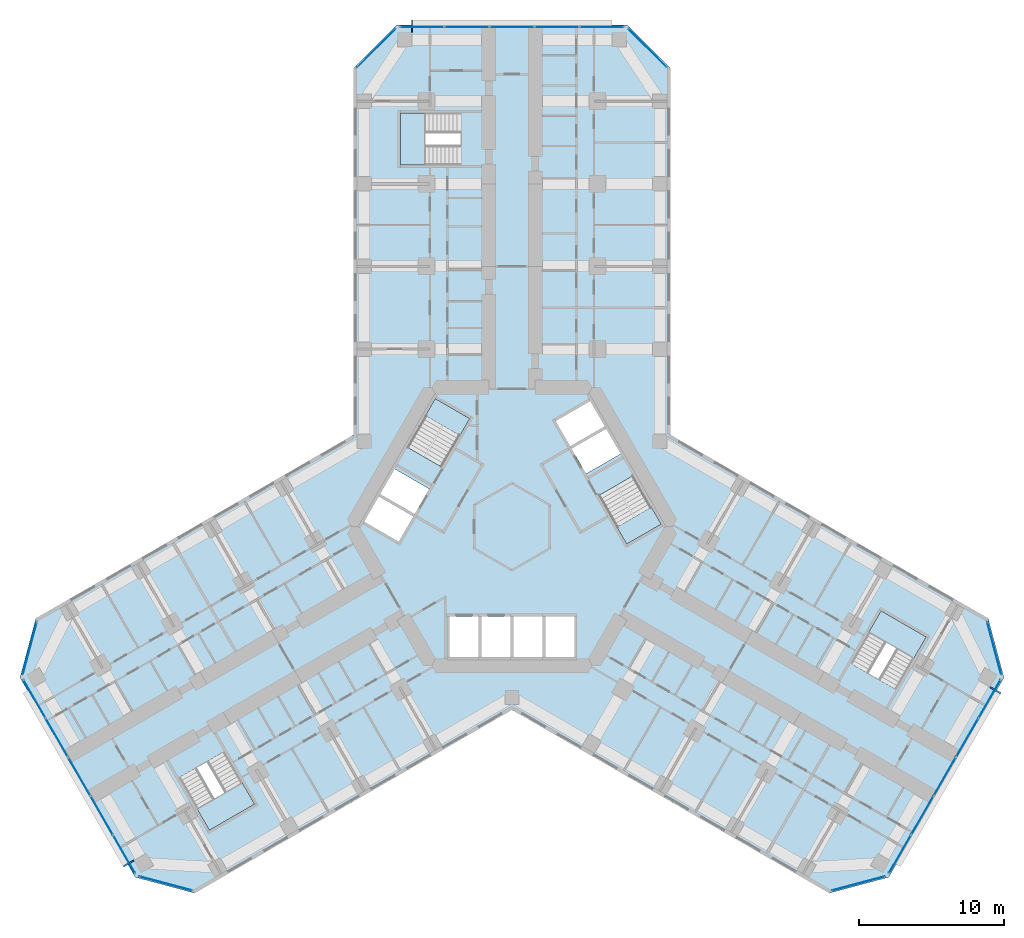
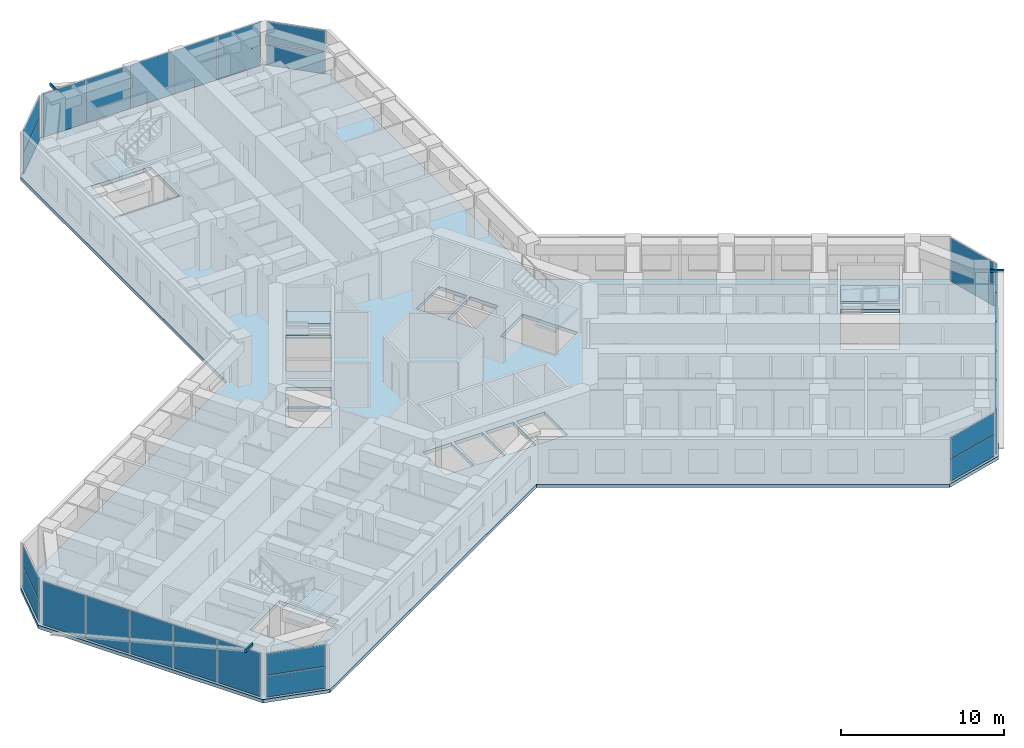
# One storey, part 9 of 21: 27 plates, 6 slabs, 3 members, 14 elements without a shape of their own.
"""IFC4 building model written with IfcOpenShell, lengths in metres."""

import ifcopenshell
import ifcopenshell.guid

model = None  # the IFC model being written
_history = None  # IfcOwnerHistory: only IFC2X3 demands one
_inside = {}  # id of a spatial element -> (the spatial element, [elements in it])
_under = {}  # id of a project, library or spatial element -> (it, [spatial elements below it])
_declared = {}  # id of a project -> (the project, [libraries it declares])
_typed = {}  # id of a type object -> (the type object, [elements of that type])
_made_of = {}  # id of a material, layer set ... -> (it, [elements and type objects made of it])


def new_model(schema):
    """Start an empty IFC model of exactly this schema.

    Asked for "IFC4X3", IfcOpenShell would pick the latest addendum, in which some entities
    have other attributes; the version numbers below select the first issue.
    IFC2X3 requires an IfcOwnerHistory on every rooted entity: one is made here for all.
    """
    global model, _history
    if schema == "IFC4X3":
        model = ifcopenshell.file(schema_version=(4, 3, 0, 0))
    else:
        model = ifcopenshell.file(schema=schema)
    _inside.clear()
    _under.clear()
    _declared.clear()
    _typed.clear()
    _made_of.clear()
    _history = None
    if model.schema == "IFC2X3":
        org = make("IfcOrganization", Name="unknown")
        user = make(
            "IfcPersonAndOrganization",
            ThePerson=make("IfcPerson", FamilyName="unknown"),
            TheOrganization=org,
        )
        app = make(
            "IfcApplication",
            ApplicationDeveloper=org,
            Version="unknown",
            ApplicationFullName="unknown",
            ApplicationIdentifier="unknown",
        )
        _history = make(
            "IfcOwnerHistory",
            OwningUser=user,
            OwningApplication=app,
            ChangeAction="ADDED",
            CreationDate=0,
        )
    return model


def make(cls, **values):
    """One entity of the class cls with the attributes given. An attribute that is None is left unset."""
    return model.create_entity(
        cls, **{name: value for name, value in values.items() if value is not None}
    )


def rooted(cls, **values):
    """An entity with a GlobalId (a new one), such as an element, a storey or a relation."""
    return make(cls, GlobalId=ifcopenshell.guid.new(), OwnerHistory=_history, **values)


def si_unit(unit_type, name, prefix=None):
    """IfcSIUnit, for example si_unit("LENGTHUNIT", "METRE", prefix="MILLI")."""
    return make("IfcSIUnit", UnitType=unit_type, Prefix=prefix, Name=name)


def assignment(units):
    """IfcUnitAssignment: the units of a project."""
    return None if units is None else make("IfcUnitAssignment", Units=units)


def point(xyz):
    """IfcCartesianPoint."""
    return None if xyz is None else make("IfcCartesianPoint", Coordinates=xyz)


def direction(xyz):
    """IfcDirection."""
    return None if xyz is None else make("IfcDirection", DirectionRatios=xyz)


def frame(location, z_axis=None, x_axis=None):
    """IfcAxis2Placement3D, a coordinate frame: its origin and axes. An axis left out is left unset."""
    return make(
        "IfcAxis2Placement3D",
        Location=point(location),
        Axis=direction(z_axis),
        RefDirection=direction(x_axis),
    )


def frame_2d(location, x_axis=None):
    """IfcAxis2Placement2D, a coordinate frame in the plane: its origin and x axis."""
    return make(
        "IfcAxis2Placement2D", Location=point(location), RefDirection=direction(x_axis)
    )


def origin():
    """The frame at (0, 0, 0) with its axes left unset."""
    return frame((0.0, 0.0, 0.0))


def origin_2d():
    """The frame at (0, 0) in the plane with its x axis left unset."""
    return frame_2d((0.0, 0.0))


def place(relative_to, where):
    """IfcLocalPlacement: puts the frame where relative to a parent placement (None: the world)."""
    return make(
        "IfcLocalPlacement", PlacementRelTo=relative_to, RelativePlacement=where
    )


def context(
    kind, dimensions, precision=None, world=None, true_north=None, identifier=None
):
    """IfcGeometricRepresentationContext, for example the 3D "Model" context."""
    return make(
        "IfcGeometricRepresentationContext",
        ContextIdentifier=identifier,
        ContextType=kind,
        CoordinateSpaceDimension=dimensions,
        Precision=precision,
        WorldCoordinateSystem=world,
        TrueNorth=true_north,
    )


def subcontext(parent, identifier, kind, view, scale=None):
    """IfcGeometricRepresentationSubContext, for example "Body" below "Model"."""
    return make(
        "IfcGeometricRepresentationSubContext",
        ContextIdentifier=identifier,
        ContextType=kind,
        ParentContext=parent,
        TargetScale=scale,
        TargetView=view,
    )


def project(units=None, contexts=None):
    """IfcProject with its units and contexts."""
    return rooted(
        "IfcProject",
        Name="project",
        RepresentationContexts=contexts,
        UnitsInContext=assignment(units),
    )


def spatial(cls, under=None, at=None, **own):
    """A site, building, storey or space (cls), placed at a placement, below another one or the project."""
    s = rooted(cls, ObjectPlacement=at, **own)
    if under is not None:
        _under.setdefault(under.id(), (under, []))[1].append(s)
    return s


def polyline(points):
    """IfcPolyline through the points."""
    return make("IfcPolyline", Points=[point(p) for p in points])


def profile(cls, at=None, kind="AREA", **sizes):
    """A parametric profile (cls). Its sizes go by their IFC names, for example OverallWidth=200.0."""
    return make(cls, ProfileType=kind, Position=at, **sizes)


def rectangle(**sizes):
    """IfcRectangleProfileDef."""
    return profile("IfcRectangleProfileDef", **sizes)


def hollow_rectangle(**sizes):
    """IfcRectangleHollowProfileDef."""
    return profile("IfcRectangleHollowProfileDef", **sizes)


def outline(outer, holes=None, kind="AREA"):
    """IfcArbitraryClosedProfileDef: a profile drawn as a closed curve; with holes, ...WithVoids."""
    if holes is None:
        return make("IfcArbitraryClosedProfileDef", ProfileType=kind, OuterCurve=outer)
    return make(
        "IfcArbitraryProfileDefWithVoids",
        ProfileType=kind,
        OuterCurve=outer,
        InnerCurves=holes,
    )


def extrude(swept, where, along, depth):
    """IfcExtrudedAreaSolid: the profile swept, set in the frame where, extruded along a direction by depth."""
    return make(
        "IfcExtrudedAreaSolid",
        SweptArea=swept,
        Position=where,
        ExtrudedDirection=direction(along),
        Depth=depth,
    )


def shape(context_of_items, identifier, shape_type, items):
    """IfcShapeRepresentation: the items that make up one representation, for example the "Body"."""
    return make(
        "IfcShapeRepresentation",
        ContextOfItems=context_of_items,
        RepresentationIdentifier=identifier,
        RepresentationType=shape_type,
        Items=items,
    )


def material(Name=None, Category=None):
    """IfcMaterial."""
    return make("IfcMaterial", Name=Name, Category=Category)


def layer(
    of_material, thickness, ventilated=None, Name=None, Category=None, Priority=None
):
    """IfcMaterialLayer: one layer of a wall or slab, of a material (None: an air gap)."""
    return make(
        "IfcMaterialLayer",
        Material=of_material,
        LayerThickness=thickness,
        IsVentilated=ventilated,
        Name=Name,
        Category=Category,
        Priority=Priority,
    )


def layer_set(layers, Name=None):
    """IfcMaterialLayerSet."""
    return make("IfcMaterialLayerSet", MaterialLayers=layers, LayerSetName=Name)


def material_profile(
    of_material, cross_section, Name=None, Category=None, Priority=None
):
    """IfcMaterialProfile: a cross section and its material."""
    return make(
        "IfcMaterialProfile",
        Name=Name,
        Material=of_material,
        Profile=cross_section,
        Priority=Priority,
        Category=Category,
    )


def profile_set(profiles, Name=None, composite=None):
    """IfcMaterialProfileSet."""
    return make(
        "IfcMaterialProfileSet",
        Name=Name,
        MaterialProfiles=profiles,
        CompositeProfile=composite,
    )


def made_of(thing, what):
    """Note that an element or type object is made of a material, layer set ...; save() writes the relation."""
    if what is not None:
        _made_of.setdefault(what.id(), (what, []))[1].append(thing)
    return thing


def type_object(cls, material=None, **own):
    """A type object (cls), such as IfcWallType, which elements share."""
    return made_of(rooted(cls, **own), material)


def element(
    cls,
    number,
    at=None,
    inside=None,
    cuts=None,
    type_object=None,
    material=None,
    context=None,
    identifier="Body",
    shape_type=None,
    held_by="IfcProductDefinitionShape",
    body=None,
    shapes=None,
    **own,
):
    """One element of the class cls, such as IfcWall. Its Tag is "e" and its number.

    at: its placement. inside: the storey or other place that contains it. cuts: it is an
    opening in that element (IfcRelVoidsElement). A single representation is given by context,
    identifier, shape_type and body (its items); several are given by shapes. held_by: the class
    of the entity that holds the representations. save() writes the other relations.
    """
    e = rooted(cls, Tag="e%d" % number, ObjectPlacement=at, **own)
    if body is not None:
        shapes = [shape(context, identifier, shape_type, body)]
    if shapes is not None:
        e.Representation = make(held_by, Representations=shapes)
    if inside is not None:
        _inside.setdefault(inside.id(), (inside, []))[1].append(e)
    if cuts is not None:
        rooted(
            "IfcRelVoidsElement", RelatingBuildingElement=cuts, RelatedOpeningElement=e
        )
    if type_object is not None:
        _typed.setdefault(type_object.id(), (type_object, []))[1].append(e)
    return made_of(e, material)


def aggregate(whole, parts):
    """IfcRelAggregates: a whole, such as a stair, and the parts it consists of."""
    return rooted("IfcRelAggregates", RelatingObject=whole, RelatedObjects=parts)


def save(model, path):
    """Write the relations noted so far, then the file.

    IfcRelAggregates (storeys below a building ...), IfcRelContainedInSpatialStructure (elements
    in a storey), IfcRelDefinesByType, IfcRelAssociatesMaterial and IfcRelDeclares: one each for
    every whole, place, type object, material and project.
    """
    for whole, parts in _under.values():
        aggregate(whole, parts)
    for where, things in _inside.values():
        rooted(
            "IfcRelContainedInSpatialStructure",
            RelatedElements=things,
            RelatingStructure=where,
        )
    for kind, things in _typed.values():
        rooted("IfcRelDefinesByType", RelatedObjects=things, RelatingType=kind)
    for what, things in _made_of.values():
        rooted("IfcRelAssociatesMaterial", RelatedObjects=things, RelatingMaterial=what)
    for by, libraries in _declared.values():
        rooted("IfcRelDeclares", RelatingContext=by, RelatedDefinitions=libraries)
    model.write(path)


model = new_model("IFC4")

# Units and contexts
model_context = context("Model", 3, precision=1e-05, world=origin(), true_north=direction((0.0, 1.0)))
body_context = subcontext(model_context, "Body", "Model", "MODEL_VIEW")
ifc_project = project(units=[si_unit("LENGTHUNIT", "METRE"), si_unit("AREAUNIT", "SQUARE_METRE"), si_unit("VOLUMEUNIT", "CUBIC_METRE"), si_unit("PLANEANGLEUNIT", "RADIAN"), si_unit("MASSUNIT", "GRAM", prefix="KILO")], contexts=[model_context])

# Site, building, storey
site_placement = place(None, origin())
site = spatial("IfcSite", under=ifc_project, at=site_placement, CompositionType="ELEMENT")
building_placement = place(site_placement, origin())
building = spatial("IfcBuilding", under=site, at=building_placement, Name="Kosmar Iwan School Tower", CompositionType="ELEMENT")
storey_placement = place(building_placement, frame((0.0, 0.0, 61.0)))
storey = spatial("IfcBuildingStorey", under=building, at=storey_placement, Name="L14", CompositionType="ELEMENT", Elevation=61.0)

# Members
ifc_material_1 = material(Name="Steel S355", Category="steel")
ifc_material_profile = material_profile(ifc_material_1, hollow_rectangle(XDim=0.10009765625, YDim=0.199951171875, WallThickness=0.008056640625, at=origin_2d()), Name="RHS 200x100x8")
ifc_profile_set = profile_set([ifc_material_profile], Name="Steel S355")
member_type = type_object("IfcMemberType", Name="Fin bracket RHS 200x100", PredefinedType="USERDEFINED", material=ifc_profile_set)
member_1_placement = place(storey_placement, frame((32.9814453125, -11.074462890625, 3.47509765625), z_axis=(0.865989465428, -0.500062241894, 0.0), x_axis=(0.500062241894, 0.865989465428, 0.0)))
element("IfcMember", 1, at=member_1_placement, inside=storey, type_object=member_type, Name="Fin bracket L15", ObjectType="FIN BRACKET", PredefinedType="USERDEFINED", context=body_context, shape_type="SweptSolid", body=[
    extrude(hollow_rectangle(XDim=0.10009765625, YDim=0.199951171875, WallThickness=0.008056640625, at=origin_2d()), origin(), (0.0, 0.0, 1.0), 0.85009765625),
])
member_2_placement = place(storey_placement, frame((-6.89990234375, 34.10009765625, 3.47509765625), z_axis=(0.0, 1.0, 0.0), x_axis=(-1.0, 0.0, 0.0)))
element("IfcMember", 2, at=member_2_placement, inside=storey, type_object=member_type, Name="Fin bracket L15", ObjectType="FIN BRACKET", PredefinedType="USERDEFINED", context=body_context, shape_type="SweptSolid", body=[
    extrude(hollow_rectangle(XDim=0.10009765625, YDim=0.199951171875, WallThickness=0.008056640625, at=origin_2d()), origin(), (0.0, 0.0, 1.0), 0.849853515625),
])
member_3_placement = place(storey_placement, frame((-26.08154296875, -23.025634765625, 3.47509765625), z_axis=(-0.865989465428, -0.500062241894, 0.0), x_axis=(0.500062241894, -0.865989465428, 0.0)))
element("IfcMember", 3, at=member_3_placement, inside=storey, type_object=member_type, Name="Fin bracket L15", ObjectType="FIN BRACKET", PredefinedType="USERDEFINED", context=body_context, shape_type="SweptSolid", body=[
    extrude(hollow_rectangle(XDim=0.10009765625, YDim=0.199951171875, WallThickness=0.008056640625, at=origin_2d()), origin(), (0.0, 0.0, 1.0), 0.85009765625),
])

# Curtain wall, plates
ifc_material_2 = material(Name="Dark glass in black aluminium frame", Category="aluminium")
curtain_wall_type_1 = type_object("IfcCurtainWallType", Name="Chamfer curtain wall dark glass", PredefinedType="USERDEFINED", material=ifc_material_2)
curtain_wall_1_placement = place(storey_placement, origin())
curtain_wall_1 = element("IfcCurtainWall", 4, at=curtain_wall_1_placement, inside=storey, type_object=curtain_wall_type_1, Name="Curtain wall L14-F02", ObjectType="FACETED CURTAIN WALL", PredefinedType="USERDEFINED")
ifc_material_3 = material(Name="Dark glass", Category="glass")
ifc_layer_1 = layer(ifc_material_3, 0.028076171875)
ifc_layer_set_1 = layer_set([ifc_layer_1], Name="Dark glass panel 28")
plate_type = type_object("IfcPlateType", Name="Dark glass panel 28", PredefinedType="CURTAIN_PANEL", material=ifc_layer_set_1)
plate_1_placement = place(storey_placement, frame((23.908203125, -24.61328125, 0.06005859375), z_axis=(0.0, 0.0, 1.0), x_axis=(0.965925875495, 0.258818861462, 0.0)))
plate_1 = element("IfcPlate", 5, at=plate_1_placement, type_object=plate_type, Name="CW2 panel 1.1", PredefinedType="CURTAIN_PANEL", context=body_context, shape_type="SweptSolid", body=[
    extrude(rectangle(XDim=3.718994140625, YDim=0.028076171875, at=origin_2d()), origin(), (0.0, 0.0, 1.0), 1.5849609375),
])
plate_2_placement = place(storey_placement, frame((23.908203125, -24.61328125, 1.705078125), z_axis=(0.0, 0.0, 1.0), x_axis=(0.965925875495, 0.258818861462, 0.0)))
plate_2 = element("IfcPlate", 6, at=plate_2_placement, type_object=plate_type, Name="CW2 panel 1.2", PredefinedType="CURTAIN_PANEL", context=body_context, shape_type="SweptSolid", body=[
    extrude(rectangle(XDim=3.718994140625, YDim=0.028076171875, at=origin_2d()), origin(), (0.0, 0.0, 1.0), 1.5849609375),
])
aggregate(curtain_wall_1, [plate_1, plate_2])

ifc_material_4 = material(Name="Dark glass in black aluminium frame", Category="aluminium")
curtain_wall_type_2 = type_object("IfcCurtainWallType", Name="Tower curtain wall dark glass", PredefinedType="USERDEFINED", material=ifc_material_4)
curtain_wall_2_placement = place(storey_placement, origin())
curtain_wall_2 = element("IfcCurtainWall", 7, at=curtain_wall_2_placement, inside=storey, type_object=curtain_wall_type_2, Name="Curtain wall L14-F03", ObjectType="UNITISED CURTAIN WALL", PredefinedType="USERDEFINED")
plate_3_placement = place(storey_placement, frame((26.764404296875, -22.592529296875, 0.06005859375), z_axis=(0.0, 0.0, 1.0), x_axis=(0.499999997325, 0.866025405329, 0.0)))
plate_3 = element("IfcPlate", 8, at=plate_3_placement, type_object=plate_type, Name="CW1 panel 1.1", PredefinedType="CURTAIN_PANEL", context=body_context, shape_type="SweptSolid", body=[
    extrude(rectangle(XDim=3.00927734375, YDim=0.028076171875, at=origin_2d()), origin(), (0.0, 0.0, 1.0), 3.22998046875),
])
plate_4_placement = place(storey_placement, frame((28.306640625, -19.921630859375, 0.06005859375), z_axis=(0.0, 0.0, 1.0), x_axis=(0.499999997325, 0.866025405329, 0.0)))
plate_4 = element("IfcPlate", 9, at=plate_4_placement, type_object=plate_type, Name="CW1 panel 2.1", PredefinedType="CURTAIN_PANEL", context=body_context, shape_type="SweptSolid", body=[
    extrude(rectangle(XDim=3.039306640625, YDim=0.028076171875, at=origin_2d()), origin(), (0.0, 0.0, 1.0), 3.22998046875),
])
plate_5_placement = place(storey_placement, frame((29.856201171875, -17.237548828125, 0.06005859375), z_axis=(0.0, 0.0, 1.0), x_axis=(0.499999997325, 0.866025405329, 0.0)))
plate_5 = element("IfcPlate", 10, at=plate_5_placement, type_object=plate_type, Name="CW1 panel 3.1", PredefinedType="CURTAIN_PANEL", context=body_context, shape_type="SweptSolid", body=[
    extrude(rectangle(XDim=3.039306640625, YDim=0.028076171875, at=origin_2d()), origin(), (0.0, 0.0, 1.0), 3.22998046875),
])
plate_6_placement = place(storey_placement, frame((31.40576171875, -14.553466796875, 0.06005859375), z_axis=(0.0, 0.0, 1.0), x_axis=(0.499999997325, 0.866025405329, 0.0)))
plate_6 = element("IfcPlate", 11, at=plate_6_placement, type_object=plate_type, Name="CW1 panel 4.1", PredefinedType="CURTAIN_PANEL", context=body_context, shape_type="SweptSolid", body=[
    extrude(rectangle(XDim=3.039306640625, YDim=0.028076171875, at=origin_2d()), origin(), (0.0, 0.0, 1.0), 3.22998046875),
])
plate_7_placement = place(storey_placement, frame((32.947998046875, -11.88232421875, 0.06005859375), z_axis=(0.0, 0.0, 1.0), x_axis=(0.499999997325, 0.866025405329, 0.0)))
plate_7 = element("IfcPlate", 12, at=plate_7_placement, type_object=plate_type, Name="CW1 panel 5.1", PredefinedType="CURTAIN_PANEL", context=body_context, shape_type="SweptSolid", body=[
    extrude(rectangle(XDim=3.00927734375, YDim=0.028076171875, at=origin_2d()), origin(), (0.0, 0.0, 1.0), 3.22998046875),
])
aggregate(curtain_wall_2, [plate_3, plate_4, plate_5, plate_6, plate_7])

curtain_wall_3_placement = place(storey_placement, origin())
curtain_wall_3 = element("IfcCurtainWall", 13, at=curtain_wall_3_placement, inside=storey, type_object=curtain_wall_type_1, Name="Curtain wall L14-F04", ObjectType="FACETED CURTAIN WALL", PredefinedType="USERDEFINED")
plate_8_placement = place(storey_placement, frame((33.269775390625, -8.3984375, 0.06005859375), z_axis=(0.0, 0.0, 1.0), x_axis=(-0.258818861462, 0.965925875495, 0.0)))
plate_8 = element("IfcPlate", 14, at=plate_8_placement, type_object=plate_type, Name="CW2 panel 1.1", PredefinedType="CURTAIN_PANEL", context=body_context, shape_type="SweptSolid", body=[
    extrude(rectangle(XDim=3.718994140625, YDim=0.028076171875, at=origin_2d()), origin(), (0.0, 0.0, 1.0), 1.5849609375),
])
plate_9_placement = place(storey_placement, frame((33.269775390625, -8.3984375, 1.705078125), z_axis=(0.0, 0.0, 1.0), x_axis=(-0.258818861462, 0.965925875495, 0.0)))
plate_9 = element("IfcPlate", 15, at=plate_9_placement, type_object=plate_type, Name="CW2 panel 1.2", PredefinedType="CURTAIN_PANEL", context=body_context, shape_type="SweptSolid", body=[
    extrude(rectangle(XDim=3.718994140625, YDim=0.028076171875, at=origin_2d()), origin(), (0.0, 0.0, 1.0), 1.5849609375),
])
aggregate(curtain_wall_3, [plate_8, plate_9])

curtain_wall_4_placement = place(storey_placement, origin())
curtain_wall_4 = element("IfcCurtainWall", 16, at=curtain_wall_4_placement, inside=storey, type_object=curtain_wall_type_1, Name="Curtain wall L14-F07", ObjectType="FACETED CURTAIN WALL", PredefinedType="USERDEFINED")
plate_10_placement = place(storey_placement, frame((9.361572265625, 33.01171875, 0.06005859375), z_axis=(0.0, 0.0, 1.0), x_axis=(-0.707106781187, 0.707106781187, 0.0)))
plate_10 = element("IfcPlate", 17, at=plate_10_placement, type_object=plate_type, Name="CW2 panel 1.1", PredefinedType="CURTAIN_PANEL", context=body_context, shape_type="SweptSolid", body=[
    extrude(rectangle(XDim=3.718994140625, YDim=0.028076171875, at=origin_2d()), origin(), (0.0, 0.0, 1.0), 1.5849609375),
])
plate_11_placement = place(storey_placement, frame((9.361572265625, 33.01171875, 1.705078125), z_axis=(0.0, 0.0, 1.0), x_axis=(-0.707106781187, 0.707106781187, 0.0)))
plate_11 = element("IfcPlate", 18, at=plate_11_placement, type_object=plate_type, Name="CW2 panel 1.2", PredefinedType="CURTAIN_PANEL", context=body_context, shape_type="SweptSolid", body=[
    extrude(rectangle(XDim=3.718994140625, YDim=0.028076171875, at=origin_2d()), origin(), (0.0, 0.0, 1.0), 1.5849609375),
])
aggregate(curtain_wall_4, [plate_10, plate_11])

curtain_wall_5_placement = place(storey_placement, origin())
curtain_wall_5 = element("IfcCurtainWall", 19, at=curtain_wall_5_placement, inside=storey, type_object=curtain_wall_type_2, Name="Curtain wall L14-F08", ObjectType="UNITISED CURTAIN WALL", PredefinedType="USERDEFINED")
plate_12_placement = place(storey_placement, frame((6.18359375, 34.47509765625, 0.06005859375), z_axis=(0.0, 0.0, 1.0), x_axis=(-1.0, 0.0, 0.0)))
plate_12 = element("IfcPlate", 20, at=plate_12_placement, type_object=plate_type, Name="CW1 panel 1.1", PredefinedType="CURTAIN_PANEL", context=body_context, shape_type="SweptSolid", body=[
    extrude(rectangle(XDim=3.00927734375, YDim=0.028076171875, at=origin_2d()), origin(), (0.0, 0.0, 1.0), 3.22998046875),
])
plate_13_placement = place(storey_placement, frame((3.099365234375, 34.47509765625, 0.06005859375), z_axis=(0.0, 0.0, 1.0), x_axis=(-1.0, 0.0, 0.0)))
plate_13 = element("IfcPlate", 21, at=plate_13_placement, type_object=plate_type, Name="CW1 panel 2.1", PredefinedType="CURTAIN_PANEL", context=body_context, shape_type="SweptSolid", body=[
    extrude(rectangle(XDim=3.039306640625, YDim=0.028076171875, at=origin_2d()), origin(), (0.0, 0.0, 1.0), 3.22998046875),
])
plate_14_placement = place(storey_placement, frame((0.0, 34.47509765625, 0.06005859375), z_axis=(0.0, 0.0, 1.0), x_axis=(-1.0, 0.0, 0.0)))
plate_14 = element("IfcPlate", 22, at=plate_14_placement, type_object=plate_type, Name="CW1 panel 3.1", PredefinedType="CURTAIN_PANEL", context=body_context, shape_type="SweptSolid", body=[
    extrude(rectangle(XDim=3.039306640625, YDim=0.028076171875, at=origin_2d()), origin(), (0.0, 0.0, 1.0), 3.22998046875),
])
plate_15_placement = place(storey_placement, frame((-3.099365234375, 34.47509765625, 0.06005859375), z_axis=(0.0, 0.0, 1.0), x_axis=(-1.0, 0.0, 0.0)))
plate_15 = element("IfcPlate", 23, at=plate_15_placement, type_object=plate_type, Name="CW1 panel 4.1", PredefinedType="CURTAIN_PANEL", context=body_context, shape_type="SweptSolid", body=[
    extrude(rectangle(XDim=3.039306640625, YDim=0.028076171875, at=origin_2d()), origin(), (0.0, 0.0, 1.0), 3.22998046875),
])
plate_16_placement = place(storey_placement, frame((-6.18359375, 34.47509765625, 0.06005859375), z_axis=(0.0, 0.0, 1.0), x_axis=(-1.0, 0.0, 0.0)))
plate_16 = element("IfcPlate", 24, at=plate_16_placement, type_object=plate_type, Name="CW1 panel 5.1", PredefinedType="CURTAIN_PANEL", context=body_context, shape_type="SweptSolid", body=[
    extrude(rectangle(XDim=3.00927734375, YDim=0.028076171875, at=origin_2d()), origin(), (0.0, 0.0, 1.0), 3.22998046875),
])
aggregate(curtain_wall_5, [plate_12, plate_13, plate_14, plate_15, plate_16])

curtain_wall_6_placement = place(storey_placement, origin())
curtain_wall_6 = element("IfcCurtainWall", 25, at=curtain_wall_6_placement, inside=storey, type_object=curtain_wall_type_1, Name="Curtain wall L14-F09", ObjectType="FACETED CURTAIN WALL", PredefinedType="USERDEFINED")
plate_17_placement = place(storey_placement, frame((-9.361572265625, 33.01171875, 0.06005859375), z_axis=(0.0, 0.0, 1.0), x_axis=(-0.707106781187, -0.707106781187, 0.0)))
plate_17 = element("IfcPlate", 26, at=plate_17_placement, type_object=plate_type, Name="CW2 panel 1.1", PredefinedType="CURTAIN_PANEL", context=body_context, shape_type="SweptSolid", body=[
    extrude(rectangle(XDim=3.718994140625, YDim=0.028076171875, at=origin_2d()), origin(), (0.0, 0.0, 1.0), 1.5849609375),
])
plate_18_placement = place(storey_placement, frame((-9.361572265625, 33.01171875, 1.705078125), z_axis=(0.0, 0.0, 1.0), x_axis=(-0.707106781187, -0.707106781187, 0.0)))
plate_18 = element("IfcPlate", 27, at=plate_18_placement, type_object=plate_type, Name="CW2 panel 1.2", PredefinedType="CURTAIN_PANEL", context=body_context, shape_type="SweptSolid", body=[
    extrude(rectangle(XDim=3.718994140625, YDim=0.028076171875, at=origin_2d()), origin(), (0.0, 0.0, 1.0), 1.5849609375),
])
aggregate(curtain_wall_6, [plate_17, plate_18])

curtain_wall_7_placement = place(storey_placement, origin())
curtain_wall_7 = element("IfcCurtainWall", 28, at=curtain_wall_7_placement, inside=storey, type_object=curtain_wall_type_1, Name="Curtain wall L14-F12", ObjectType="FACETED CURTAIN WALL", PredefinedType="USERDEFINED")
plate_19_placement = place(storey_placement, frame((-33.269775390625, -8.3984375, 0.06005859375), z_axis=(0.0, 0.0, 1.0), x_axis=(-0.258818861462, -0.965925875495, 0.0)))
plate_19 = element("IfcPlate", 29, at=plate_19_placement, type_object=plate_type, Name="CW2 panel 1.1", PredefinedType="CURTAIN_PANEL", context=body_context, shape_type="SweptSolid", body=[
    extrude(rectangle(XDim=3.718994140625, YDim=0.028076171875, at=origin_2d()), origin(), (0.0, 0.0, 1.0), 1.5849609375),
])
plate_20_placement = place(storey_placement, frame((-33.269775390625, -8.3984375, 1.705078125), z_axis=(0.0, 0.0, 1.0), x_axis=(-0.258818861462, -0.965925875495, 0.0)))
plate_20 = element("IfcPlate", 30, at=plate_20_placement, type_object=plate_type, Name="CW2 panel 1.2", PredefinedType="CURTAIN_PANEL", context=body_context, shape_type="SweptSolid", body=[
    extrude(rectangle(XDim=3.718994140625, YDim=0.028076171875, at=origin_2d()), origin(), (0.0, 0.0, 1.0), 1.5849609375),
])
aggregate(curtain_wall_7, [plate_19, plate_20])

curtain_wall_8_placement = place(storey_placement, origin())
curtain_wall_8 = element("IfcCurtainWall", 31, at=curtain_wall_8_placement, inside=storey, type_object=curtain_wall_type_2, Name="Curtain wall L14-F13", ObjectType="UNITISED CURTAIN WALL", PredefinedType="USERDEFINED")
plate_21_placement = place(storey_placement, frame((-32.947998046875, -11.88232421875, 0.06005859375), z_axis=(0.0, 0.0, 1.0), x_axis=(0.499999997325, -0.866025405329, 0.0)))
plate_21 = element("IfcPlate", 32, at=plate_21_placement, type_object=plate_type, Name="CW1 panel 1.1", PredefinedType="CURTAIN_PANEL", context=body_context, shape_type="SweptSolid", body=[
    extrude(rectangle(XDim=3.00927734375, YDim=0.028076171875, at=origin_2d()), origin(), (0.0, 0.0, 1.0), 3.22998046875),
])
plate_22_placement = place(storey_placement, frame((-31.40576171875, -14.553466796875, 0.06005859375), z_axis=(0.0, 0.0, 1.0), x_axis=(0.499999997325, -0.866025405329, 0.0)))
plate_22 = element("IfcPlate", 33, at=plate_22_placement, type_object=plate_type, Name="CW1 panel 2.1", PredefinedType="CURTAIN_PANEL", context=body_context, shape_type="SweptSolid", body=[
    extrude(rectangle(XDim=3.039306640625, YDim=0.028076171875, at=origin_2d()), origin(), (0.0, 0.0, 1.0), 3.22998046875),
])
plate_23_placement = place(storey_placement, frame((-29.856201171875, -17.237548828125, 0.06005859375), z_axis=(0.0, 0.0, 1.0), x_axis=(0.499999997325, -0.866025405329, 0.0)))
plate_23 = element("IfcPlate", 34, at=plate_23_placement, type_object=plate_type, Name="CW1 panel 3.1", PredefinedType="CURTAIN_PANEL", context=body_context, shape_type="SweptSolid", body=[
    extrude(rectangle(XDim=3.039306640625, YDim=0.028076171875, at=origin_2d()), origin(), (0.0, 0.0, 1.0), 3.22998046875),
])
plate_24_placement = place(storey_placement, frame((-28.306640625, -19.921630859375, 0.06005859375), z_axis=(0.0, 0.0, 1.0), x_axis=(0.499999997325, -0.866025405329, 0.0)))
plate_24 = element("IfcPlate", 35, at=plate_24_placement, type_object=plate_type, Name="CW1 panel 4.1", PredefinedType="CURTAIN_PANEL", context=body_context, shape_type="SweptSolid", body=[
    extrude(rectangle(XDim=3.039306640625, YDim=0.028076171875, at=origin_2d()), origin(), (0.0, 0.0, 1.0), 3.22998046875),
])
plate_25_placement = place(storey_placement, frame((-26.764404296875, -22.592529296875, 0.06005859375), z_axis=(0.0, 0.0, 1.0), x_axis=(0.499999997325, -0.866025405329, 0.0)))
plate_25 = element("IfcPlate", 36, at=plate_25_placement, type_object=plate_type, Name="CW1 panel 5.1", PredefinedType="CURTAIN_PANEL", context=body_context, shape_type="SweptSolid", body=[
    extrude(rectangle(XDim=3.00927734375, YDim=0.028076171875, at=origin_2d()), origin(), (0.0, 0.0, 1.0), 3.22998046875),
])
aggregate(curtain_wall_8, [plate_21, plate_22, plate_23, plate_24, plate_25])

curtain_wall_9_placement = place(storey_placement, origin())
curtain_wall_9 = element("IfcCurtainWall", 37, at=curtain_wall_9_placement, inside=storey, type_object=curtain_wall_type_1, Name="Curtain wall L14-F14", ObjectType="FACETED CURTAIN WALL", PredefinedType="USERDEFINED")
plate_26_placement = place(storey_placement, frame((-23.908203125, -24.61328125, 0.06005859375), z_axis=(0.0, 0.0, 1.0), x_axis=(0.965925875495, -0.258818861462, 0.0)))
plate_26 = element("IfcPlate", 38, at=plate_26_placement, type_object=plate_type, Name="CW2 panel 1.1", PredefinedType="CURTAIN_PANEL", context=body_context, shape_type="SweptSolid", body=[
    extrude(rectangle(XDim=3.718994140625, YDim=0.028076171875, at=origin_2d()), origin(), (0.0, 0.0, 1.0), 1.5849609375),
])
plate_27_placement = place(storey_placement, frame((-23.908203125, -24.61328125, 1.705078125), z_axis=(0.0, 0.0, 1.0), x_axis=(0.965925875495, -0.258818861462, 0.0)))
plate_27 = element("IfcPlate", 39, at=plate_27_placement, type_object=plate_type, Name="CW2 panel 1.2", PredefinedType="CURTAIN_PANEL", context=body_context, shape_type="SweptSolid", body=[
    extrude(rectangle(XDim=3.718994140625, YDim=0.028076171875, at=origin_2d()), origin(), (0.0, 0.0, 1.0), 1.5849609375),
])
aggregate(curtain_wall_9, [plate_26, plate_27])

# Stair, slab
ifc_material_5 = material(Name="Concrete C35/45", Category="concrete")
stair_type_1 = type_object("IfcStairType", Name="Escape stair 3600", PredefinedType="HALF_TURN_STAIR", material=ifc_material_5)
stair_1_placement = place(storey_placement, origin())
stair_1 = element("IfcStair", 40, at=stair_1_placement, inside=storey, type_object=stair_type_1, Name="Stair WS1 L14", PredefinedType="HALF_TURN_STAIR")
ifc_material_6 = material(Name="Concrete C35/45", Category="concrete")
ifc_layer_2 = layer(ifc_material_6, 0.199951171875)
ifc_layer_set_2 = layer_set([ifc_layer_2], Name="Escape stair landing 200")
slab_type_1 = type_object("IfcSlabType", Name="Escape stair landing 200", PredefinedType="LANDING", material=ifc_layer_set_2)
slab_1_placement = place(storey_placement, frame((0.0, 0.0, 1.60009765625)))
slab_1 = element("IfcSlab", 41, at=slab_1_placement, type_object=slab_type_1, Name="WS1 landing 1", PredefinedType="LANDING", context=body_context, shape_type="SweptSolid", body=[
    extrude(outline(polyline([(-6.0, 24.949951171875), (-6.0, 28.550048828125), (-7.699951171875, 28.550048828125), (-7.699951171875, 24.949951171875), (-6.0, 24.949951171875)])), origin(), (0.0, 0.0, 1.0), 0.199951171875),
])
aggregate(stair_1, [slab_1])

stair_2_placement = place(storey_placement, origin())
stair_2 = element("IfcStair", 42, at=stair_2_placement, inside=storey, type_object=stair_type_1, Name="Stair WS2 L14", PredefinedType="HALF_TURN_STAIR")
slab_2_placement = place(storey_placement, frame((0.0, 0.0, 1.60009765625)))
slab_2 = element("IfcSlab", 43, at=slab_2_placement, type_object=slab_type_1, Name="WS2 landing 1", PredefinedType="LANDING", context=body_context, shape_type="SweptSolid", body=[
    extrude(outline(polyline([(-18.607421875, -17.671142578125), (-21.72509765625, -19.47119140625), (-20.875, -20.943359375), (-17.75732421875, -19.143310546875), (-18.607421875, -17.671142578125)])), origin(), (0.0, 0.0, 1.0), 0.199951171875),
])
aggregate(stair_2, [slab_2])

stair_3_placement = place(storey_placement, origin())
stair_3 = element("IfcStair", 44, at=stair_3_placement, inside=storey, type_object=stair_type_1, Name="Stair WS3 L14", PredefinedType="HALF_TURN_STAIR")
slab_3_placement = place(storey_placement, frame((0.0, 0.0, 1.60009765625)))
slab_3 = element("IfcSlab", 45, at=slab_3_placement, type_object=slab_type_1, Name="WS3 landing 1", PredefinedType="LANDING", context=body_context, shape_type="SweptSolid", body=[
    extrude(outline(polyline([(24.607421875, -7.27880859375), (27.72509765625, -9.078857421875), (28.574951171875, -7.606689453125), (25.457275390625, -5.806640625), (24.607421875, -7.27880859375)])), origin(), (0.0, 0.0, 1.0), 0.199951171875),
])
aggregate(stair_3, [slab_3])

# Slab
ifc_material_7 = material(Name="Concrete C35/45", Category="concrete")
ifc_layer_3 = layer(ifc_material_7, 0.25)
ifc_layer_set_3 = layer_set([ifc_layer_3], Name="Floor slab 250")
slab_type_2 = type_object("IfcSlabType", Name="Floor slab 250", PredefinedType="FLOOR", material=ifc_layer_set_3)
slab_4_placement = place(storey_placement, frame((0.0, 0.0, -0.25)))
element("IfcSlab", 46, at=slab_4_placement, inside=storey, type_object=slab_type_2, Name="L14 floor slab", PredefinedType="FLOOR", context=body_context, shape_type="SweptSolid", body=[
    extrude(outline(polyline([(-21.891357421875, -25.282958984375), (0.0, -12.64404296875), (21.891357421875, -25.282958984375), (25.989501953125, -24.184814453125), (33.939453125, -10.4150390625), (32.84130859375, -6.317138671875), (10.949951171875, 6.322021484375), (10.949951171875, 31.60009765625), (7.949951171875, 34.60009765625), (-7.949951171875, 34.60009765625), (-10.949951171875, 31.60009765625), (-10.949951171875, 6.322021484375), (-32.84130859375, -6.317138671875), (-33.939453125, -10.4150390625), (-25.989501953125, -24.184814453125), (-21.891357421875, -25.282958984375)]), holes=[polyline([(7.91259765625, -1.205078125), (10.294189453125, 0.169921875), (8.3642578125, 3.5126953125), (5.982666015625, 2.1376953125), (7.91259765625, -1.205078125)]), polyline([(-2.91259765625, 7.455078125), (-5.294189453125, 8.830078125), (-7.22412109375, 5.4873046875), (-4.8427734375, 4.1123046875), (-2.91259765625, 7.455078125)]), polyline([(-5.712646484375, 2.60546875), (-8.09423828125, 3.98046875), (-9.09423828125, 2.248291015625), (-6.712646484375, 0.873291015625), (-5.712646484375, 2.60546875)]), polyline([(-6.812744140625, 0.7001953125), (-9.1943359375, 2.0751953125), (-10.1943359375, 0.343017578125), (-7.812744140625, -1.031982421875), (-6.812744140625, 0.7001953125)]), polyline([(5.112548828125, 3.64453125), (7.494140625, 5.01953125), (6.494140625, 6.751708984375), (4.112548828125, 5.376708984375), (5.112548828125, 3.64453125)]), polyline([(4.0126953125, 5.5498046875), (6.394287109375, 6.9248046875), (5.394287109375, 8.656982421875), (3.0126953125, 7.281982421875), (4.0126953125, 5.5498046875)]), polyline([(-4.300048828125, -6.199951171875), (-4.300048828125, -9.0), (-2.300048828125, -9.0), (-2.300048828125, -6.199951171875), (-4.300048828125, -6.199951171875)]), polyline([(-2.10009765625, -6.199951171875), (-2.10009765625, -9.0), (-0.10009765625, -9.0), (-0.10009765625, -6.199951171875), (-2.10009765625, -6.199951171875)]), polyline([(0.10009765625, -6.199951171875), (0.10009765625, -9.0), (2.10009765625, -9.0), (2.10009765625, -6.199951171875), (0.10009765625, -6.199951171875)]), polyline([(2.300048828125, -6.199951171875), (2.300048828125, -9.0), (4.300048828125, -9.0), (4.300048828125, -6.199951171875), (2.300048828125, -6.199951171875)]), polyline([(-3.52001953125, 24.949951171875), (-3.52001953125, 28.550048828125), (-7.699951171875, 28.550048828125), (-7.699951171875, 24.949951171875), (-3.52001953125, 24.949951171875)]), polyline([(-19.847412109375, -15.5234375), (-22.965087890625, -17.323486328125), (-20.875, -20.943359375), (-17.75732421875, -19.143310546875), (-19.847412109375, -15.5234375)]), polyline([(23.367431640625, -9.426513671875), (26.485107421875, -11.2265625), (28.574951171875, -7.606689453125), (25.457275390625, -5.806640625), (23.367431640625, -9.426513671875)])]), origin(), (0.0, 0.0, 1.0), 0.25),
])

# Stair, slab
ifc_material_8 = material(Name="Concrete C35/45", Category="concrete")
stair_type_2 = type_object("IfcStairType", Name="Core stair 2750", PredefinedType="HALF_TURN_STAIR", material=ifc_material_8)
stair_4_placement = place(storey_placement, origin())
stair_4 = element("IfcStair", 47, at=stair_4_placement, inside=storey, type_object=stair_type_2, Name="Stair ST2 L14", PredefinedType="HALF_TURN_STAIR")
ifc_material_9 = material(Name="Concrete C35/45", Category="concrete")
ifc_layer_4 = layer(ifc_material_9, 0.199951171875)
ifc_layer_set_4 = layer_set([ifc_layer_4], Name="Stair landing 200")
slab_type_3 = type_object("IfcSlabType", Name="Stair landing 200", PredefinedType="LANDING", material=ifc_layer_set_4)
slab_5_placement = place(storey_placement, frame((0.0, 0.0, 1.60009765625)))
slab_5 = element("IfcSlab", 48, at=slab_5_placement, type_object=slab_type_3, Name="ST2 landing 1", PredefinedType="LANDING", context=body_context, shape_type="SweptSolid", body=[
    extrude(outline(polyline([(-2.91259765625, 7.455078125), (-5.294189453125, 8.830078125), (-5.97412109375, 7.65234375), (-3.5927734375, 6.27734375), (-2.91259765625, 7.455078125)])), origin(), (0.0, 0.0, 1.0), 0.199951171875),
])
aggregate(stair_4, [slab_5])

stair_5_placement = place(storey_placement, origin())
stair_5 = element("IfcStair", 49, at=stair_5_placement, inside=storey, type_object=stair_type_2, Name="Stair ST1 L14", PredefinedType="HALF_TURN_STAIR")
slab_6_placement = place(storey_placement, frame((0.0, 0.0, 1.60009765625)))
slab_6 = element("IfcSlab", 50, at=slab_6_placement, type_object=slab_type_3, Name="ST1 landing 1", PredefinedType="LANDING", context=body_context, shape_type="SweptSolid", body=[
    extrude(outline(polyline([(7.91259765625, -1.205078125), (10.294189453125, 0.169921875), (9.6142578125, 1.34765625), (7.232666015625, -0.02734375), (7.91259765625, -1.205078125)])), origin(), (0.0, 0.0, 1.0), 0.199951171875),
])
aggregate(stair_5, [slab_6])

save(model, "model.ifc")
